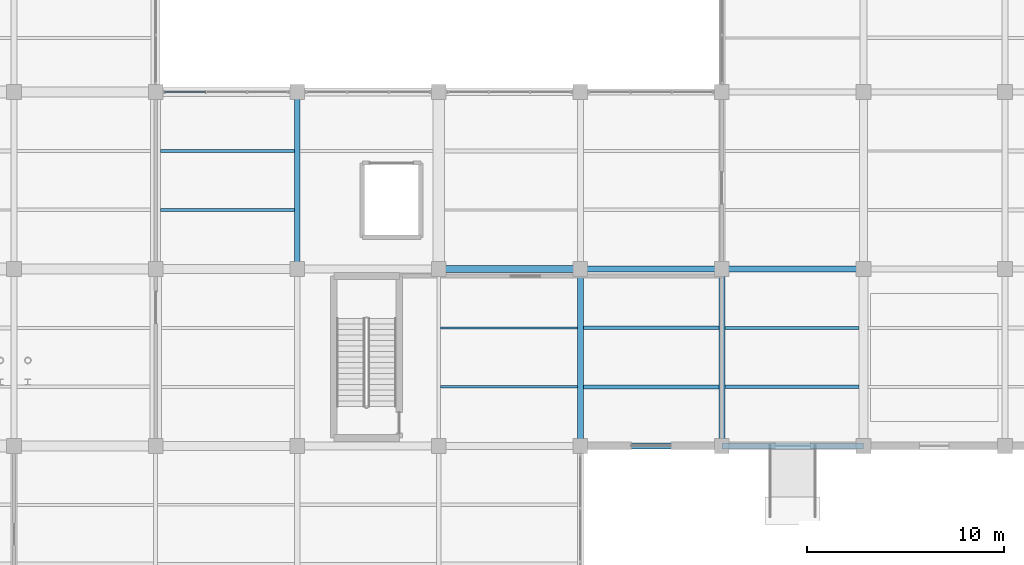
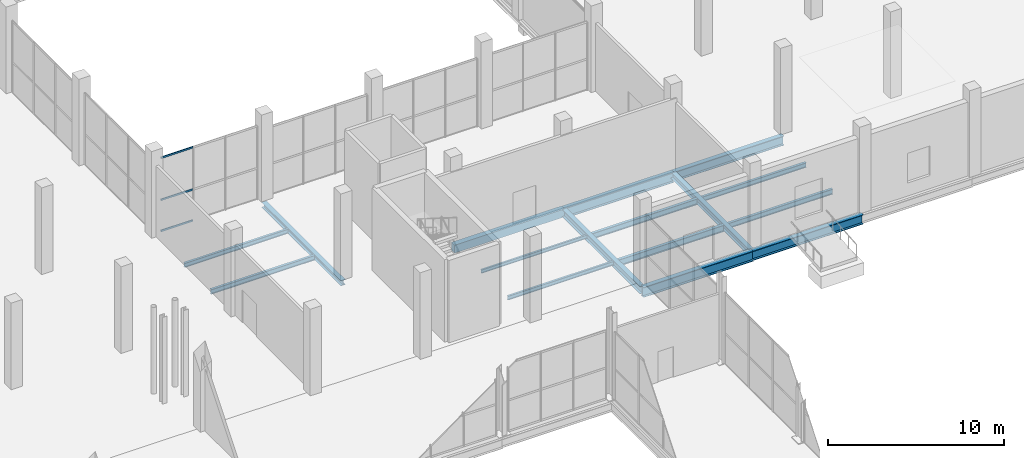
# One storey, part 100 of 144: 16 beams, 3 members, 1 element without a shape of its own.
"""IFC4 building model written with IfcOpenShell, lengths in metres."""

from ifc_helpers import new_model, si_unit, direction, frame, origin, origin_2d, place, context, subcontext, project, spatial, rectangle, hollow_rectangle, i_section, extrude, material, layer, layer_set, material_profile, profile_set, type_object, element, aggregate, save


model = new_model("IFC4")

# Units and contexts
model_context = context("Model", 3, precision=1e-05, world=origin(), true_north=direction((0.0, 1.0)))
body_context = subcontext(model_context, "Body", "Model", "MODEL_VIEW")
ifc_project = project(units=[si_unit("LENGTHUNIT", "METRE"), si_unit("AREAUNIT", "SQUARE_METRE"), si_unit("VOLUMEUNIT", "CUBIC_METRE"), si_unit("PLANEANGLEUNIT", "RADIAN"), si_unit("MASSUNIT", "GRAM", prefix="KILO")], contexts=[model_context])

# Site, building, storey
site_placement = place(None, origin())
site = spatial("IfcSite", under=ifc_project, at=site_placement, CompositionType="ELEMENT")
building_placement = place(site_placement, origin())
building = spatial("IfcBuilding", under=site, at=building_placement, Name="Sundgate Opera House", CompositionType="ELEMENT")
storey_placement = place(building_placement, origin())
storey = spatial("IfcBuildingStorey", under=building, at=storey_placement, Name="L00", CompositionType="ELEMENT", Elevation=0.0)

# Beams
ifc_material_1 = material(Name="Steel S355J2", Category="steel")
ifc_material_profile_1 = material_profile(ifc_material_1, i_section(OverallWidth=0.300048828125, OverallDepth=0.43994140625, WebThickness=0.011474609375, FlangeThickness=0.02099609375, at=origin_2d()), Name="HEA 450")
ifc_profile_set_1 = profile_set([ifc_material_profile_1], Name="Steel S355J2")
beam_type_1 = type_object("IfcBeamType", Name="BM-GR-HEA450", PredefinedType="BEAM", material=ifc_profile_set_1)
beam_1_placement = place(storey_placement, frame((153.0, 69.0, -0.5400390625), z_axis=(0.0, 1.0, 0.0), x_axis=(-1.0, 0.0, 0.0)))
element("IfcBeam", 1, at=beam_1_placement, inside=storey, type_object=beam_type_1, Name="L00 Primary N-S Girder B0289", PredefinedType="BEAM", context=body_context, shape_type="SweptSolid", body=[
    extrude(i_section(OverallWidth=0.300048828125, OverallDepth=0.43994140625, WebThickness=0.011474609375, FlangeThickness=0.02099609375, at=origin_2d()), origin(), (0.0, 0.0, 1.0), 9.0),
])
ifc_material_2 = material(Name="Steel S355J2", Category="steel")
ifc_material_profile_2 = material_profile(ifc_material_2, i_section(OverallWidth=0.300048828125, OverallDepth=0.360107421875, WebThickness=0.012451171875, FlangeThickness=0.0224609375, at=origin_2d()), Name="HEB 360")
ifc_profile_set_2 = profile_set([ifc_material_profile_2], Name="Steel S355J2")
beam_type_2 = type_object("IfcBeamType", Name="BM-GR-HEB360", PredefinedType="BEAM", material=ifc_profile_set_2)
beam_2_placement = place(storey_placement, frame((131.39990234375, 78.0, -0.5), z_axis=(0.0, 1.0, 0.0), x_axis=(-1.0, 0.0, 0.0)))
element("IfcBeam", 2, at=beam_2_placement, inside=storey, type_object=beam_type_2, Name="L00 Primary N-S Girder B0264", PredefinedType="BEAM", context=body_context, shape_type="SweptSolid", body=[
    extrude(i_section(OverallWidth=0.300048828125, OverallDepth=0.360107421875, WebThickness=0.012451171875, FlangeThickness=0.0224609375, at=origin_2d()), origin(), (0.0, 0.0, 1.0), 9.0),
])
ifc_material_3 = material(Name="Steel S355J2", Category="steel")
ifc_material_profile_3 = material_profile(ifc_material_3, i_section(OverallWidth=0.300048828125, OverallDepth=0.5, WebThickness=0.014404296875, FlangeThickness=0.028076171875, at=origin_2d()), Name="HEB 500")
ifc_profile_set_3 = profile_set([ifc_material_profile_3], Name="Steel S355J2")
beam_type_3 = type_object("IfcBeamType", Name="BM-GR-HEB500", PredefinedType="BEAM", material=ifc_profile_set_3)
beam_3_placement = place(storey_placement, frame((145.800048828125, 69.0, -0.570068359375), z_axis=(0.0, 1.0, 0.0), x_axis=(-1.0, 0.0, 0.0)))
element("IfcBeam", 3, at=beam_3_placement, inside=storey, type_object=beam_type_3, Name="L00 Primary N-S Girder B0283", PredefinedType="BEAM", context=body_context, shape_type="SweptSolid", body=[
    extrude(i_section(OverallWidth=0.300048828125, OverallDepth=0.5, WebThickness=0.014404296875, FlangeThickness=0.028076171875, at=origin_2d()), origin(), (0.0, 0.0, 1.0), 9.0),
])
ifc_material_4 = material(Name="Steel S355J2", Category="steel")
ifc_material_profile_4 = material_profile(ifc_material_4, i_section(OverallWidth=0.300048828125, OverallDepth=0.64990234375, WebThickness=0.01611328125, FlangeThickness=0.031005859375, at=origin_2d()), Name="HEB 650")
ifc_profile_set_4 = profile_set([ifc_material_profile_4], Name="Steel S355J2")
beam_type_4 = type_object("IfcBeamType", Name="BM-GR-HEB650", PredefinedType="BEAM", material=ifc_profile_set_4)
for number, where, z_axis, x_axis, name in (
    (4, (153.0, 69.0, -0.64501953125), (1.0, 0.0, 0.0), (0.0, 1.0, 0.0), "L00 Primary E-W Girder B0477"),
    (5, (153.0, 78.0, -0.64501953125), (1.0, 0.0, 0.0), (0.0, 1.0, 0.0), "L00 Primary E-W Girder B0499"),
):
    element("IfcBeam", number, at=place(storey_placement, frame(where, z_axis=z_axis, x_axis=x_axis)), inside=storey, type_object=beam_type_4, Name=name, PredefinedType="BEAM", context=body_context, shape_type="SweptSolid", body=[
        extrude(i_section(OverallWidth=0.300048828125, OverallDepth=0.64990234375, WebThickness=0.01611328125, FlangeThickness=0.031005859375, at=origin_2d()), origin(), (0.0, 0.0, 1.0), 7.199951171875),
    ])
ifc_material_5 = material(Name="Steel S355J2", Category="steel")
ifc_material_profile_5 = material_profile(ifc_material_5, i_section(OverallWidth=0.300048828125, OverallDepth=0.699951171875, WebThickness=0.01708984375, FlangeThickness=0.031982421875, at=origin_2d()), Name="HEB 700")
ifc_profile_set_5 = profile_set([ifc_material_profile_5], Name="Steel S355J2")
beam_type_5 = type_object("IfcBeamType", Name="BM-GR-HEB700", PredefinedType="BEAM", material=ifc_profile_set_5)
for number, where, z_axis, x_axis, name in (
    (6, (145.800048828125, 69.0, -0.669921875), (1.0, 0.0, 0.0), (0.0, 1.0, 0.0), "L00 Primary E-W Girder B0476"),
    (7, (145.800048828125, 78.0, -0.669921875), (1.0, 0.0, 0.0), (0.0, 1.0, 0.0), "L00 Primary E-W Girder B0498"),
):
    element("IfcBeam", number, at=place(storey_placement, frame(where, z_axis=z_axis, x_axis=x_axis)), inside=storey, type_object=beam_type_5, Name=name, PredefinedType="BEAM", context=body_context, shape_type="SweptSolid", body=[
        extrude(i_section(OverallWidth=0.300048828125, OverallDepth=0.699951171875, WebThickness=0.01708984375, FlangeThickness=0.031982421875, at=origin_2d()), origin(), (0.0, 0.0, 1.0), 7.199951171875),
    ])
ifc_material_6 = material(Name="Steel S355J2", Category="steel")
ifc_material_profile_6 = material_profile(ifc_material_6, i_section(OverallWidth=0.1201171875, OverallDepth=0.239990234375, WebThickness=0.006103515625, FlangeThickness=0.009765625, at=origin_2d()), Name="IPE 240")
ifc_profile_set_6 = profile_set([ifc_material_profile_6], Name="Steel S355J2")
beam_type_6 = type_object("IfcBeamType", Name="BM-JS-IPE240", PredefinedType="JOIST", material=ifc_profile_set_6)
beam_4_placement = place(storey_placement, frame((138.699951171875, 75.0, -0.43994140625), z_axis=(1.0, 0.0, 0.0), x_axis=(0.0, 1.0, 0.0)))
element("IfcBeam", 8, at=beam_4_placement, inside=storey, type_object=beam_type_6, Name="L00 Secondary Floor Joist B0867", PredefinedType="JOIST", context=body_context, shape_type="SweptSolid", body=[
    extrude(i_section(OverallWidth=0.1201171875, OverallDepth=0.239990234375, WebThickness=0.006103515625, FlangeThickness=0.009765625, at=origin_2d()), origin(), (0.0, 0.0, 1.0), 6.949951171875),
])
ifc_material_7 = material(Name="Steel S355J2", Category="steel")
ifc_material_profile_7 = material_profile(ifc_material_7, i_section(OverallWidth=0.135009765625, OverallDepth=0.27001953125, WebThickness=0.006591796875, FlangeThickness=0.01025390625, at=origin_2d()), Name="IPE 270")
ifc_profile_set_7 = profile_set([ifc_material_profile_7], Name="Steel S355J2")
beam_type_7 = type_object("IfcBeamType", Name="BM-JS-IPE270", PredefinedType="JOIST", material=ifc_profile_set_7)
beam_5_placement = place(storey_placement, frame((138.699951171875, 72.0, -0.455078125), z_axis=(1.0, 0.0, 0.0), x_axis=(0.0, 1.0, 0.0)))
element("IfcBeam", 9, at=beam_5_placement, inside=storey, type_object=beam_type_7, Name="L00 Secondary Floor Joist B0866", PredefinedType="JOIST", context=body_context, shape_type="SweptSolid", body=[
    extrude(i_section(OverallWidth=0.135009765625, OverallDepth=0.27001953125, WebThickness=0.006591796875, FlangeThickness=0.01025390625, at=origin_2d()), origin(), (0.0, 0.0, 1.0), 6.949951171875),
])
ifc_material_8 = material(Name="Steel S355J2", Category="steel")
ifc_material_profile_8 = material_profile(ifc_material_8, i_section(OverallWidth=0.14990234375, OverallDepth=0.300048828125, WebThickness=0.007080078125, FlangeThickness=0.0107421875, at=origin_2d()), Name="IPE 300")
ifc_profile_set_8 = profile_set([ifc_material_profile_8], Name="Steel S355J2")
beam_type_8 = type_object("IfcBeamType", Name="BM-JS-IPE300", PredefinedType="JOIST", material=ifc_profile_set_8)
beam_6_placement = place(storey_placement, frame((124.449951171875, 84.0, -0.469970703125), z_axis=(1.0, 0.0, 0.0), x_axis=(0.0, 1.0, 0.0)))
element("IfcBeam", 10, at=beam_6_placement, inside=storey, type_object=beam_type_8, Name="L00 Secondary Floor Joist B0907", PredefinedType="JOIST", context=body_context, shape_type="SweptSolid", body=[
    extrude(i_section(OverallWidth=0.14990234375, OverallDepth=0.300048828125, WebThickness=0.007080078125, FlangeThickness=0.0107421875, at=origin_2d()), origin(), (0.0, 0.0, 1.0), 6.800048828125),
])
ifc_material_9 = material(Name="Steel S355J2", Category="steel")
ifc_material_profile_9 = material_profile(ifc_material_9, i_section(OverallWidth=0.159912109375, OverallDepth=0.330078125, WebThickness=0.007568359375, FlangeThickness=0.011474609375, at=origin_2d()), Name="IPE 330")
ifc_profile_set_9 = profile_set([ifc_material_profile_9], Name="Steel S355J2")
beam_type_9 = type_object("IfcBeamType", Name="BM-JS-IPE330", PredefinedType="JOIST", material=ifc_profile_set_9)
beam_7_placement = place(storey_placement, frame((153.14990234375, 75.0, -0.485107421875), z_axis=(1.0, 0.0, 0.0), x_axis=(0.0, 1.0, 0.0)))
element("IfcBeam", 11, at=beam_7_placement, inside=storey, type_object=beam_type_9, Name="L00 Secondary Floor Joist B0871", PredefinedType="JOIST", context=body_context, shape_type="SweptSolid", body=[
    extrude(i_section(OverallWidth=0.159912109375, OverallDepth=0.330078125, WebThickness=0.007568359375, FlangeThickness=0.011474609375, at=origin_2d()), origin(), (0.0, 0.0, 1.0), 6.8251953125),
])
beam_8_placement = place(storey_placement, frame((124.449951171875, 81.0, -0.485107421875), z_axis=(1.0, 0.0, 0.0), x_axis=(0.0, 1.0, 0.0)))
element("IfcBeam", 12, at=beam_8_placement, inside=storey, type_object=beam_type_9, Name="L00 Secondary Floor Joist B0906", PredefinedType="JOIST", context=body_context, shape_type="SweptSolid", body=[
    extrude(i_section(OverallWidth=0.159912109375, OverallDepth=0.330078125, WebThickness=0.007568359375, FlangeThickness=0.011474609375, at=origin_2d()), origin(), (0.0, 0.0, 1.0), 6.800048828125),
])
ifc_material_10 = material(Name="Steel S355J2", Category="steel")
ifc_material_profile_10 = material_profile(ifc_material_10, i_section(OverallWidth=0.169921875, OverallDepth=0.360107421875, WebThickness=0.008056640625, FlangeThickness=0.0126953125, at=origin_2d()), Name="IPE 360")
ifc_profile_set_10 = profile_set([ifc_material_profile_10], Name="Steel S355J2")
beam_type_10 = type_object("IfcBeamType", Name="BM-JS-IPE360", PredefinedType="JOIST", material=ifc_profile_set_10)
beam_9_placement = place(storey_placement, frame((153.14990234375, 72.0, -0.5), z_axis=(1.0, 0.0, 0.0), x_axis=(0.0, 1.0, 0.0)))
element("IfcBeam", 13, at=beam_9_placement, inside=storey, type_object=beam_type_10, Name="L00 Secondary Floor Joist B0870", PredefinedType="JOIST", context=body_context, shape_type="SweptSolid", body=[
    extrude(i_section(OverallWidth=0.169921875, OverallDepth=0.360107421875, WebThickness=0.008056640625, FlangeThickness=0.0126953125, at=origin_2d()), origin(), (0.0, 0.0, 1.0), 6.8251953125),
])
ifc_material_11 = material(Name="Steel S355J2", Category="steel")
ifc_material_profile_11 = material_profile(ifc_material_11, i_section(OverallWidth=0.179931640625, OverallDepth=0.39990234375, WebThickness=0.008544921875, FlangeThickness=0.013427734375, at=origin_2d()), Name="IPE 400")
ifc_profile_set_11 = profile_set([ifc_material_profile_11], Name="Steel S355J2")
beam_type_11 = type_object("IfcBeamType", Name="BM-JS-IPE400", PredefinedType="JOIST", material=ifc_profile_set_11)
beam_10_placement = place(storey_placement, frame((145.949951171875, 75.0, -0.52001953125), z_axis=(1.0, 0.0, 0.0), x_axis=(0.0, 1.0, 0.0)))
element("IfcBeam", 14, at=beam_10_placement, inside=storey, type_object=beam_type_11, Name="L00 Secondary Floor Joist B0869", PredefinedType="JOIST", context=body_context, shape_type="SweptSolid", body=[
    extrude(i_section(OverallWidth=0.179931640625, OverallDepth=0.39990234375, WebThickness=0.008544921875, FlangeThickness=0.013427734375, at=origin_2d()), origin(), (0.0, 0.0, 1.0), 6.900146484375),
])
ifc_material_12 = material(Name="Steel S355J2", Category="steel")
ifc_material_profile_12 = material_profile(ifc_material_12, i_section(OverallWidth=0.18994140625, OverallDepth=0.449951171875, WebThickness=0.009521484375, FlangeThickness=0.0146484375, at=origin_2d()), Name="IPE 450")
ifc_profile_set_12 = profile_set([ifc_material_profile_12], Name="Steel S355J2")
beam_type_12 = type_object("IfcBeamType", Name="BM-JS-IPE450", PredefinedType="JOIST", material=ifc_profile_set_12)
beam_11_placement = place(storey_placement, frame((145.949951171875, 72.0, -0.544921875), z_axis=(1.0, 0.0, 0.0), x_axis=(0.0, 1.0, 0.0)))
element("IfcBeam", 15, at=beam_11_placement, inside=storey, type_object=beam_type_12, Name="L00 Secondary Floor Joist B0868", PredefinedType="JOIST", context=body_context, shape_type="SweptSolid", body=[
    extrude(i_section(OverallWidth=0.18994140625, OverallDepth=0.449951171875, WebThickness=0.009521484375, FlangeThickness=0.0146484375, at=origin_2d()), origin(), (0.0, 0.0, 1.0), 6.900146484375),
])
ifc_material_13 = material(Name="Concrete C35/45", Category="concrete")
ifc_material_profile_13 = material_profile(ifc_material_13, rectangle(XDim=0.35009765625, YDim=0.550048828125, at=origin_2d()), Name="RC 350x550")
ifc_profile_set_13 = profile_set([ifc_material_profile_13], Name="Concrete C35/45")
beam_type_13 = type_object("IfcBeamType", Name="BM-RC-350x550", PredefinedType="BEAM", material=ifc_profile_set_13)
beam_12_placement = place(storey_placement, frame((138.60009765625, 78.0, -0.594970703125), z_axis=(1.0, 0.0, 0.0), x_axis=(0.0, 1.0, 0.0)))
element("IfcBeam", 16, at=beam_12_placement, inside=storey, type_object=beam_type_13, Name="L00 Primary E-W Girder B0497", PredefinedType="BEAM", context=body_context, shape_type="SweptSolid", body=[
    extrude(rectangle(XDim=0.35009765625, YDim=0.550048828125, at=origin_2d()), origin(), (0.0, 0.0, 1.0), 7.199951171875),
])

# Curtain wall, members
ifc_material_14 = material(Name="Anodized aluminium and low-iron glass", Category="aluminium")
ifc_layer = layer(ifc_material_14, 0.159912109375)
ifc_layer_set = layer_set([ifc_layer], Name="Anodized aluminium and low-iron glass")
curtain_wall_type = type_object("IfcCurtainWallType", Name="CW-STUDIO-DARK", PredefinedType="NOTDEFINED", material=ifc_layer_set)
curtain_wall_placement = place(storey_placement, origin())
curtain_wall = element("IfcCurtainWall", 17, at=curtain_wall_placement, inside=storey, type_object=curtain_wall_type, Name="L00 Curtain Wall CW080", PredefinedType="NOTDEFINED")
ifc_material_15 = material(Name="Anodized aluminium EN AW-6063", Category="aluminium")
ifc_material_profile_14 = material_profile(ifc_material_15, hollow_rectangle(XDim=0.054931640625, YDim=0.1201171875, WallThickness=0.00390625, at=origin_2d()), Name="CWT 120x55x4")
ifc_profile_set_14 = profile_set([ifc_material_profile_14], Name="Anodized aluminium EN AW-6063")
member_type = type_object("IfcMemberType", Name="CWT-ALU-120x55", PredefinedType="USERDEFINED", material=ifc_profile_set_14)
member_1_placement = place(storey_placement, frame((124.64990234375, 87.0, 0.0), z_axis=(1.0, 0.0, 0.0), x_axis=(0.0, 1.0, 0.0)))
member_1 = element("IfcMember", 18, at=member_1_placement, type_object=member_type, Name="CW080 Transom 1", ObjectType="TRANSOM", PredefinedType="USERDEFINED", context=body_context, shape_type="SweptSolid", body=[
    extrude(hollow_rectangle(XDim=0.054931640625, YDim=0.1201171875, WallThickness=0.00390625, at=origin_2d()), origin(), (0.0, 0.0, 1.0), 2.10009765625),
])
member_2_placement = place(storey_placement, frame((124.64990234375, 87.0, 2.14990234375), z_axis=(1.0, 0.0, 0.0), x_axis=(0.0, 1.0, 0.0)))
member_2 = element("IfcMember", 19, at=member_2_placement, type_object=member_type, Name="CW080 Transom 2", ObjectType="TRANSOM", PredefinedType="USERDEFINED", context=body_context, shape_type="SweptSolid", body=[
    extrude(hollow_rectangle(XDim=0.054931640625, YDim=0.1201171875, WallThickness=0.00390625, at=origin_2d()), origin(), (0.0, 0.0, 1.0), 2.10009765625),
])
member_3_placement = place(storey_placement, frame((124.64990234375, 87.0, 5.06494140625), z_axis=(1.0, 0.0, 0.0), x_axis=(0.0, 1.0, 0.0)))
member_3 = element("IfcMember", 20, at=member_3_placement, type_object=member_type, Name="CW080 Transom 3", ObjectType="TRANSOM", PredefinedType="USERDEFINED", context=body_context, shape_type="SweptSolid", body=[
    extrude(hollow_rectangle(XDim=0.054931640625, YDim=0.1201171875, WallThickness=0.00390625, at=origin_2d()), origin(), (0.0, 0.0, 1.0), 2.10009765625),
])
aggregate(curtain_wall, [member_1, member_2, member_3])

save(model, "model.ifc")
